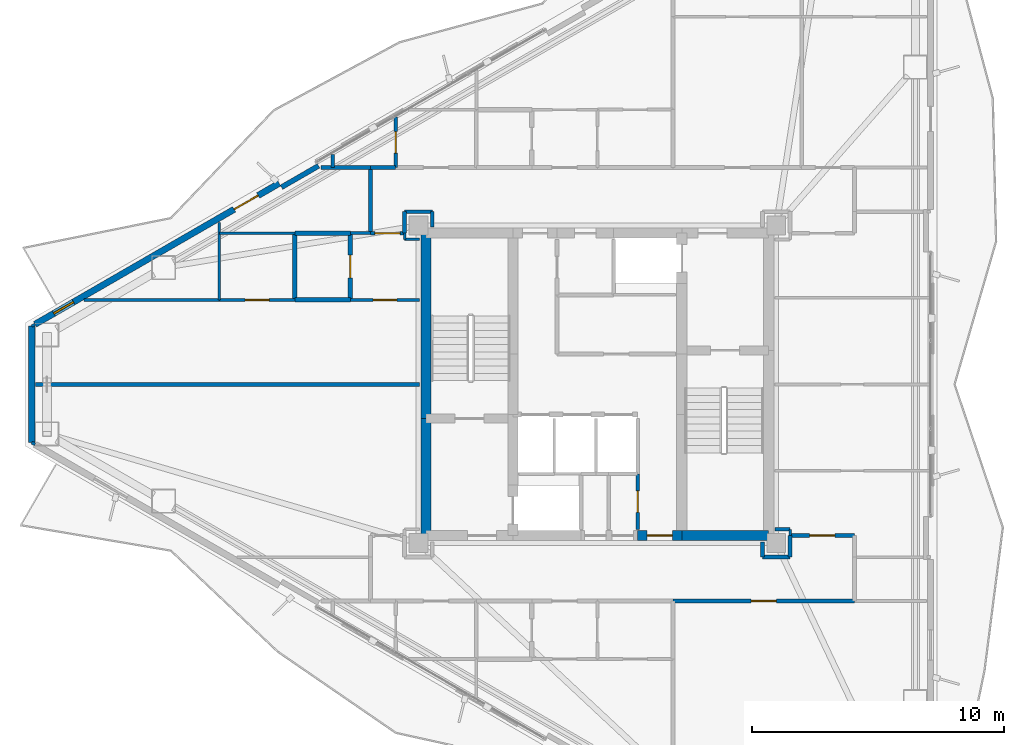
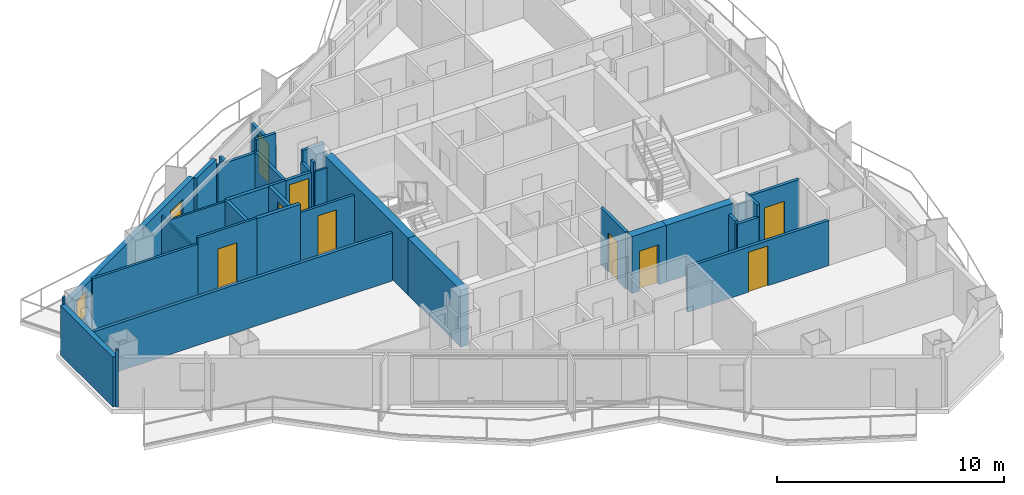
# One storey, part 13 of 18: 39 walls, 10 doors, 1 window, 11 openings.
"""IFC4 building model written with IfcOpenShell, lengths in metres."""

from ifc_helpers import new_model, si_unit, direction, frame, frame_2d, origin, place, context, subcontext, project, spatial, rectangle, extrude, material, layer, layer_set, type_object, element, fill, save


model = new_model("IFC4")

# Units and contexts
model_context = context("Model", 3, precision=1e-05, world=origin(), true_north=direction((0.0, 1.0)))
body_context = subcontext(model_context, "Body", "Model", "MODEL_VIEW")
ifc_project = project(units=[si_unit("LENGTHUNIT", "METRE"), si_unit("AREAUNIT", "SQUARE_METRE"), si_unit("VOLUMEUNIT", "CUBIC_METRE"), si_unit("PLANEANGLEUNIT", "RADIAN"), si_unit("MASSUNIT", "GRAM", prefix="KILO")], contexts=[model_context])

# Site, building, storey
site_placement = place(None, origin())
site = spatial("IfcSite", under=ifc_project, at=site_placement, CompositionType="ELEMENT")
building_placement = place(site_placement, origin())
building = spatial("IfcBuilding", under=site, at=building_placement, Name="Mersakhor Tower and Convention Hall", CompositionType="ELEMENT")
storey_placement = place(building_placement, frame((0.0, 0.0, 154.199951171875)))
storey = spatial("IfcBuildingStorey", under=building, at=storey_placement, Name="L43", CompositionType="ELEMENT", Elevation=154.199951171875)

# Wall
ifc_material_1 = material(Name="Precast concrete C40/50", Category="concrete")
ifc_layer_1 = layer(ifc_material_1, 0.25)
ifc_layer_set_1 = layer_set([ifc_layer_1], Name="Precast concrete C40/50")
wall_type_1 = type_object("IfcWallType", Name="WL-EXT-250", PredefinedType="SOLIDWALL", material=ifc_layer_set_1)
wall_1_placement = place(storey_placement, frame((6.560302734375, 24.44140625, 0.0), z_axis=(0.0, 0.0, 1.0), x_axis=(0.0, 1.0, 0.0)))
element("IfcWall", 1, at=wall_1_placement, inside=storey, type_object=wall_type_1, Name="L43 Chamfer Braced Spandrel Wall C3", PredefinedType="SOLIDWALL", context=body_context, shape_type="SweptSolid", body=[
    extrude(rectangle(XDim=4.6171875, YDim=0.25, at=frame_2d((2.30859375, 0.0))), origin(), (0.0, 0.0, 1.0), 2.679931640625),
])

# Wall, openings, door, window
wall_2_placement = place(storey_placement, frame((6.690185546875, 29.1337890625, 0.0), z_axis=(0.0, 0.0, 1.0), x_axis=(0.866027848477, 0.499995765644, 0.0)))
wall_2 = element("IfcWall", 2, at=wall_2_placement, inside=storey, type_object=wall_type_1, Name="L43 Exterior Facade Wall F1-B1", PredefinedType="SOLIDWALL", context=body_context, shape_type="SweptSolid", body=[
    extrude(rectangle(XDim=11.18603515625, YDim=0.25, at=frame_2d((5.593017578125, 0.0))), origin(), (0.0, 0.0, 1.0), 2.679931640625),
])
opening_1_placement = place(wall_2_placement, frame((9.1220703125, 0.0, 0.0)))
opening_1 = element("IfcOpeningElement", 3, at=opening_1_placement, cuts=wall_2, Name="Opening BD-02", PredefinedType="OPENING", context=body_context, shape_type="SweptSolid", body=[
    extrude(rectangle(XDim=1.10009765625, YDim=2.10009765625, at=frame_2d((0.550048828125, 1.050048828125))), frame((0.0, 0.135009765625, 0.0), z_axis=(0.0, -1.0, 0.0), x_axis=(1.0, 0.0, 0.0)), (0.0, 0.0, 1.0), 0.27001953125),
])
opening_2_placement = place(wall_2_placement, frame((0.860107421875, 0.0, 0.89990234375)))
opening_2 = element("IfcOpeningElement", 4, at=opening_2_placement, cuts=wall_2, Name="Opening W-06", PredefinedType="OPENING", context=body_context, shape_type="SweptSolid", body=[
    extrude(rectangle(XDim=0.89990234375, YDim=1.39990234375, at=frame_2d((0.449951171875, 0.699951171875))), frame((0.0, 0.135009765625, 0.0), z_axis=(0.0, -1.0, 0.0), x_axis=(1.0, 0.0, 0.0)), (0.0, 0.0, 1.0), 0.27001953125),
])
ifc_material_2 = material(Name="Thermally broken dark aluminium and safety glass", Category="aluminium")
door_type_1 = type_object("IfcDoorType", Name="DR-BAL-110x210", OperationType="NOTDEFINED", PredefinedType="DOOR", material=ifc_material_2)
door_1_placement = place(opening_1_placement, origin())
door_1 = element("IfcDoor", 5, at=door_1_placement, inside=storey, type_object=door_type_1, Name="L43 Balcony Terrace Door F1-B1", OperationType="SINGLE_SWING_RIGHT", OverallHeight=2.10009765625, OverallWidth=1.10009765625, PredefinedType="DOOR", context=body_context, shape_type="SweptSolid", body=[
    extrude(rectangle(XDim=1.10009765625, YDim=2.10009765625, at=frame_2d((0.550048828125, 1.050048828125))), frame((0.0, 0.02490234375, 0.0), z_axis=(0.0, -1.0, 0.0), x_axis=(1.0, 0.0, 0.0)), (0.0, 0.0, 1.0), 0.050048828125),
])
fill(opening_1, door_1)
ifc_material_3 = material(Name="Dark solar low-E glazed aluminium window", Category="aluminium")
window_type = type_object("IfcWindowType", Name="WN-STD-090x140", PartitioningType="SINGLE_PANEL", PredefinedType="WINDOW", material=ifc_material_3)
window_placement = place(opening_2_placement, origin())
window = element("IfcWindow", 6, at=window_placement, inside=storey, type_object=window_type, Name="L43 Bedroom Facade Window F1-B1-1", OverallHeight=1.39990234375, OverallWidth=0.89990234375, PartitioningType="SINGLE_PANEL", PredefinedType="WINDOW", context=body_context, shape_type="SweptSolid", body=[
    extrude(rectangle(XDim=0.89990234375, YDim=1.39990234375, at=frame_2d((0.449951171875, 0.699951171875))), frame((0.0, 0.030029296875, 0.0), z_axis=(0.0, -1.0, 0.0), x_axis=(1.0, 0.0, 0.0)), (0.0, 0.0, 1.0), 0.06005859375),
])
fill(opening_2, window)

# Wall
ifc_material_4 = material(Name="Precast concrete C40/50", Category="concrete")
ifc_layer_2 = layer(ifc_material_4, 0.199951171875)
ifc_layer_set_2 = layer_set([ifc_layer_2], Name="Precast concrete C40/50")
wall_type_2 = type_object("IfcWallType", Name="WL-PAR-200", PredefinedType="PARAPET", material=ifc_layer_set_2)
wall_3_placement = place(storey_placement, frame((16.467529296875, 34.57080078125, 0.0), z_axis=(0.0, 0.0, 1.0), x_axis=(0.865989465428, 0.500062241894, 0.0)))
element("IfcWall", 7, at=wall_3_placement, inside=storey, type_object=wall_type_2, Name="L43 Column Pier Cladding Wall F1-C1", PredefinedType="PARAPET", context=body_context, shape_type="SweptSolid", body=[
    extrude(rectangle(XDim=1.699951171875, YDim=0.199951171875, at=frame_2d((0.85009765625, 0.0))), origin(), (0.0, 0.0, 1.0), 2.679931640625),
])

# Wall, opening, door
ifc_material_5 = material(Name="Moisture-resistant acoustic drywall studwork", Category="other")
ifc_layer_3 = layer(ifc_material_5, 0.175048828125)
ifc_layer_set_3 = layer_set([ifc_layer_3], Name="Moisture-resistant acoustic drywall studwork")
wall_type_3 = type_object("IfcWallType", Name="WL-PLM-175", PredefinedType="PLUMBINGWALL", material=ifc_layer_set_3)
wall_4_placement = place(storey_placement, frame((19.199951171875, 30.10009765625, 0.0), z_axis=(0.0, 0.0, 1.0), x_axis=(0.0, 1.0, 0.0)))
wall_4 = element("IfcWall", 8, at=wall_4_placement, inside=storey, type_object=wall_type_3, Name="L43 Interior Partition Wall P-060", PredefinedType="PLUMBINGWALL", context=body_context, shape_type="SweptSolid", body=[
    extrude(rectangle(XDim=2.64990234375, YDim=0.175048828125, at=frame_2d((1.324951171875, 0.0))), origin(), (0.0, 0.0, 1.0), 2.432861328125),
])
opening_3_placement = place(wall_4_placement, frame((0.875, 0.0, 0.0)))
opening_3 = element("IfcOpeningElement", 9, at=opening_3_placement, cuts=wall_4, Name="Opening WD-01", PredefinedType="OPENING", context=body_context, shape_type="SweptSolid", body=[
    extrude(rectangle(XDim=0.89990234375, YDim=2.10009765625, at=frame_2d((0.449951171875, 1.050048828125))), frame((0.0, 0.097412109375, 0.0), z_axis=(0.0, -1.0, 0.0), x_axis=(1.0, 0.0, 0.0)), (0.0, 0.0, 1.0), 0.195068359375),
])
ifc_material_6 = material(Name="Solid-core hardwood leaf in painted steel frame", Category="steel")
door_type_2 = type_object("IfcDoorType", Name="DR-INT-WET-090x210", OperationType="NOTDEFINED", PredefinedType="DOOR", material=ifc_material_6)
door_2_placement = place(opening_3_placement, origin())
door_2 = element("IfcDoor", 10, at=door_2_placement, inside=storey, type_object=door_type_2, Name="L43 L43 Flat W5 Apartment Hall to L43 Flat W5 Bathroom Door", OperationType="SINGLE_SWING_RIGHT", OverallHeight=2.10009765625, OverallWidth=0.89990234375, PredefinedType="DOOR", context=body_context, shape_type="SweptSolid", body=[
    extrude(rectangle(XDim=0.89990234375, YDim=2.10009765625, at=frame_2d((0.449951171875, 1.050048828125))), frame((0.0, 0.02490234375, 0.0), z_axis=(0.0, -1.0, 0.0), x_axis=(1.0, 0.0, 0.0)), (0.0, 0.0, 1.0), 0.050048828125),
])
fill(opening_3, door_2)

# Walls
wall_5_placement = place(storey_placement, frame((17.0, 32.75, 0.0), z_axis=(0.0, 0.0, 1.0), x_axis=(1.0, 0.0, 0.0)))
element("IfcWall", 11, at=wall_5_placement, inside=storey, type_object=wall_type_3, Name="L43 Interior Partition Wall P-071", PredefinedType="PLUMBINGWALL", context=body_context, shape_type="SweptSolid", body=[
    extrude(rectangle(XDim=2.199951171875, YDim=0.175048828125, at=frame_2d((1.10009765625, 0.0))), origin(), (0.0, 0.0, 1.0), 2.432861328125),
])
wall_6_placement = place(storey_placement, frame((19.199951171875, 30.10009765625, 0.0), z_axis=(0.0, 0.0, 1.0), x_axis=(-1.0, 0.0, 0.0)))
element("IfcWall", 12, at=wall_6_placement, inside=storey, type_object=wall_type_3, Name="L43 Interior Partition Wall P-072", PredefinedType="PLUMBINGWALL", context=body_context, shape_type="SweptSolid", body=[
    extrude(rectangle(XDim=2.199951171875, YDim=0.175048828125, at=frame_2d((1.10009765625, 0.0))), origin(), (0.0, 0.0, 1.0), 3.06005859375),
])
wall_7_placement = place(storey_placement, frame((17.0, 30.10009765625, 0.0), z_axis=(0.0, 0.0, 1.0), x_axis=(0.0, 1.0, 0.0)))
element("IfcWall", 13, at=wall_7_placement, inside=storey, type_object=wall_type_3, Name="L43 Interior Partition Wall P-073", PredefinedType="PLUMBINGWALL", context=body_context, shape_type="SweptSolid", body=[
    extrude(rectangle(XDim=2.64990234375, YDim=0.175048828125, at=frame_2d((1.324951171875, 0.0))), origin(), (0.0, 0.0, 1.0), 2.432861328125),
])
ifc_material_7 = material(Name="Lightweight gypsum partition", Category="other")
ifc_layer_4 = layer(ifc_material_7, 0.10009765625)
ifc_layer_set_4 = layer_set([ifc_layer_4], Name="Lightweight gypsum partition")
wall_type_4 = type_object("IfcWallType", Name="WL-PRT-100", PredefinedType="PARTITIONING", material=ifc_layer_set_4)
wall_8_placement = place(storey_placement, frame((21.35009765625, 32.5, 0.0), z_axis=(0.0, 0.0, 1.0), x_axis=(1.0, 0.0, 0.0)))
element("IfcWall", 14, at=wall_8_placement, inside=storey, type_object=wall_type_4, Name="L43 Interior Partition Wall P-058", PredefinedType="PARTITIONING", context=body_context, shape_type="SweptSolid", body=[
    extrude(rectangle(XDim=0.599853515625, YDim=0.10009765625, at=frame_2d((0.2998046875, 0.0))), origin(), (0.0, 0.0, 1.0), 2.5849609375),
])
wall_9_placement = place(storey_placement, frame((21.35009765625, 32.75, 0.0), z_axis=(0.0, 0.0, 1.0), x_axis=(0.0, -1.0, 0.0)))
element("IfcWall", 15, at=wall_9_placement, inside=storey, type_object=wall_type_4, Name="L43 Interior Partition Wall P-062", PredefinedType="PARTITIONING", context=body_context, shape_type="SweptSolid", body=[
    extrude(rectangle(XDim=0.25, YDim=0.10009765625, at=frame_2d((0.125, 0.0))), origin(), (0.0, 0.0, 1.0), 3.06005859375),
])
wall_10_placement = place(storey_placement, frame((14.0, 32.75, 0.0), z_axis=(0.0, 0.0, 1.0), x_axis=(1.0, 0.0, 0.0)))
element("IfcWall", 16, at=wall_10_placement, inside=storey, type_object=wall_type_4, Name="L43 Interior Partition Wall P-074", PredefinedType="PARTITIONING", context=body_context, shape_type="SweptSolid", body=[
    extrude(rectangle(XDim=3.0, YDim=0.10009765625, at=frame_2d((1.5, 0.0))), origin(), (0.0, 0.0, 1.0), 2.364990234375),
])
wall_11_placement = place(storey_placement, frame((14.0, 30.10009765625, 0.0), z_axis=(0.0, 0.0, 1.0), x_axis=(0.0, 1.0, 0.0)))
element("IfcWall", 17, at=wall_11_placement, inside=storey, type_object=wall_type_4, Name="L43 Interior Partition Wall P-076", PredefinedType="PARTITIONING", context=body_context, shape_type="SweptSolid", body=[
    extrude(rectangle(XDim=3.081787109375, YDim=0.10009765625, at=frame_2d((1.541015625, 0.0))), origin(), (0.0, 0.0, 1.0), 2.364990234375),
])
wall_12_placement = place(storey_placement, frame((36.64990234375, 20.75, 0.0), z_axis=(0.0, 0.0, 1.0), x_axis=(0.0, 1.0, 0.0)))
element("IfcWall", 18, at=wall_12_placement, inside=storey, type_object=wall_type_4, Name="L43 Interior Partition Wall P-096", PredefinedType="PARTITIONING", context=body_context, shape_type="SweptSolid", body=[
    extrude(rectangle(XDim=0.25, YDim=0.10009765625, at=frame_2d((0.125, 0.0))), origin(), (0.0, 0.0, 1.0), 3.06005859375),
])
wall_13_placement = place(storey_placement, frame((6.56005859375, 29.05908203125, 0.0), z_axis=(0.0, 0.0, 1.0), x_axis=(0.866131372301, 0.499816412211, 0.0)))
element("IfcWall", 19, at=wall_13_placement, inside=storey, type_object=wall_type_4, Name="L43 Interior Partition Wall P-118", PredefinedType="PARTITIONING", context=body_context, shape_type="SweptSolid", body=[
    extrude(rectangle(XDim=0.14990234375, YDim=0.10009765625, at=frame_2d((0.074951171875, 0.0))), origin(), (0.0, 0.0, 1.0), 3.06005859375),
])

# Wall, opening, door
ifc_material_8 = material(Name="Gypsum board acoustic partition", Category="other")
ifc_layer_5 = layer(ifc_material_8, 0.125)
ifc_layer_set_5 = layer_set([ifc_layer_5], Name="Gypsum board acoustic partition")
wall_type_5 = type_object("IfcWallType", Name="WL-PRT-125", PredefinedType="PARTITIONING", material=ifc_layer_set_5)
wall_14_placement = place(storey_placement, frame((21.949951171875, 30.10009765625, 0.0), z_axis=(0.0, 0.0, 1.0), x_axis=(-1.0, 0.0, 0.0)))
wall_14 = element("IfcWall", 20, at=wall_14_placement, inside=storey, type_object=wall_type_5, Name="L43 Interior Partition Wall P-059", PredefinedType="PARTITIONING", context=body_context, shape_type="SweptSolid", body=[
    extrude(rectangle(XDim=2.75, YDim=0.125, at=frame_2d((1.375, 0.0))), origin(), (0.0, 0.0, 1.0), 2.5849609375),
])
opening_4_placement = place(wall_14_placement, frame((0.89990234375, 0.0, 0.0)))
opening_4 = element("IfcOpeningElement", 21, at=opening_4_placement, cuts=wall_14, Name="Opening RD-01", PredefinedType="OPENING", context=body_context, shape_type="SweptSolid", body=[
    extrude(rectangle(XDim=0.949951171875, YDim=2.10009765625, at=frame_2d((0.47509765625, 1.050048828125))), frame((0.0, 0.072509765625, 0.0), z_axis=(0.0, -1.0, 0.0), x_axis=(1.0, 0.0, 0.0)), (0.0, 0.0, 1.0), 0.14501953125),
])
ifc_material_9 = material(Name="Solid-core hardwood leaf in painted steel frame", Category="steel")
door_type_3 = type_object("IfcDoorType", Name="DR-INT-RM-095x210", OperationType="NOTDEFINED", PredefinedType="DOOR", material=ifc_material_9)
door_3_placement = place(opening_4_placement, origin())
door_3 = element("IfcDoor", 22, at=door_3_placement, inside=storey, type_object=door_type_3, Name="L43 L43 Flat W5 Apartment Hall to L43 Flat W5 Studio Living and Sleeping Room Door", OperationType="SINGLE_SWING_LEFT", OverallHeight=2.10009765625, OverallWidth=0.949951171875, PredefinedType="DOOR", context=body_context, shape_type="SweptSolid", body=[
    extrude(rectangle(XDim=0.949951171875, YDim=2.10009765625, at=frame_2d((0.47509765625, 1.050048828125))), frame((0.0, 0.02490234375, 0.0), z_axis=(0.0, -1.0, 0.0), x_axis=(1.0, 0.0, 0.0)), (0.0, 0.0, 1.0), 0.050048828125),
])
fill(opening_4, door_3)

# Wall
wall_15_placement = place(storey_placement, frame((19.199951171875, 32.75, 0.0), z_axis=(0.0, 0.0, 1.0), x_axis=(1.0, 0.0, 0.0)))
element("IfcWall", 23, at=wall_15_placement, inside=storey, type_object=wall_type_5, Name="L43 Interior Partition Wall P-061", PredefinedType="PARTITIONING", context=body_context, shape_type="SweptSolid", body=[
    extrude(rectangle(XDim=0.800048828125, YDim=0.125, at=frame_2d((0.39990234375, 0.0))), origin(), (0.0, 0.0, 1.0), 2.432861328125),
])

# Wall, opening, door
wall_16_placement = place(storey_placement, frame((17.0, 30.10009765625, 0.0), z_axis=(0.0, 0.0, 1.0), x_axis=(-1.0, 0.0, 0.0)))
wall_16 = element("IfcWall", 24, at=wall_16_placement, inside=storey, type_object=wall_type_5, Name="L43 Interior Partition Wall P-075", PredefinedType="PARTITIONING", context=body_context, shape_type="SweptSolid", body=[
    extrude(rectangle(XDim=3.0, YDim=0.125, at=frame_2d((1.5, 0.0))), origin(), (0.0, 0.0, 1.0), 3.06005859375),
])
opening_5_placement = place(wall_16_placement, frame((1.02490234375, 0.0, 0.0)))
opening_5 = element("IfcOpeningElement", 25, at=opening_5_placement, cuts=wall_16, Name="Opening RD-01", PredefinedType="OPENING", context=body_context, shape_type="SweptSolid", body=[
    extrude(rectangle(XDim=0.949951171875, YDim=2.10009765625, at=frame_2d((0.47509765625, 1.050048828125))), frame((0.0, 0.072509765625, 0.0), z_axis=(0.0, -1.0, 0.0), x_axis=(1.0, 0.0, 0.0)), (0.0, 0.0, 1.0), 0.14501953125),
])
door_4_placement = place(opening_5_placement, origin())
door_4 = element("IfcDoor", 26, at=door_4_placement, inside=storey, type_object=door_type_3, Name="L43 L43 Flat W5 Kitchen to L43 Flat W5 Studio Living and Sleeping Room Door", OperationType="SINGLE_SWING_RIGHT", OverallHeight=2.10009765625, OverallWidth=0.949951171875, PredefinedType="DOOR", context=body_context, shape_type="SweptSolid", body=[
    extrude(rectangle(XDim=0.949951171875, YDim=2.10009765625, at=frame_2d((0.47509765625, 1.050048828125))), frame((0.0, 0.02490234375, 0.0), z_axis=(0.0, -1.0, 0.0), x_axis=(1.0, 0.0, 0.0)), (0.0, 0.0, 1.0), 0.050048828125),
])
fill(opening_5, door_4)

# Walls
wall_17_placement = place(storey_placement, frame((6.68994140625, 24.365966796875, 0.0), z_axis=(0.0, 0.0, 1.0), x_axis=(-0.866131372301, 0.499816412211, 0.0)))
element("IfcWall", 27, at=wall_17_placement, inside=storey, type_object=wall_type_5, Name="L43 Interior Partition Wall P-095", PredefinedType="PARTITIONING", context=body_context, shape_type="SweptSolid", body=[
    extrude(rectangle(XDim=0.14990234375, YDim=0.125, at=frame_2d((0.074951171875, 0.0))), origin(), (0.0, 0.0, 1.0), 3.06005859375),
])
wall_18_placement = place(storey_placement, frame((36.64990234375, 21.0, 0.0), z_axis=(0.0, 0.0, 1.0), x_axis=(-1.0, 0.0, 0.0)))
element("IfcWall", 28, at=wall_18_placement, inside=storey, type_object=wall_type_5, Name="L43 Interior Partition Wall P-097", PredefinedType="PARTITIONING", context=body_context, shape_type="SweptSolid", body=[
    extrude(rectangle(XDim=0.599853515625, YDim=0.125, at=frame_2d((0.2998046875, 0.0))), origin(), (0.0, 0.0, 1.0), 2.5849609375),
])
wall_19_placement = place(storey_placement, frame((8.634765625, 30.10009765625, 0.0), z_axis=(0.0, 0.0, 1.0), x_axis=(1.0, 0.0, 0.0)))
element("IfcWall", 29, at=wall_19_placement, inside=storey, type_object=wall_type_5, Name="L43 Interior Partition Wall P-117", PredefinedType="PARTITIONING", context=body_context, shape_type="SweptSolid", body=[
    extrude(rectangle(XDim=5.365234375, YDim=0.125, at=frame_2d((2.6826171875, 0.0))), origin(), (0.0, 0.0, 1.0), 2.724609375),
])

# Wall, opening, door
ifc_material_10 = material(Name="Fire-rated gypsum board stud partition", Category="other")
ifc_layer_6 = layer(ifc_material_10, 0.14990234375)
ifc_layer_set_6 = layer_set([ifc_layer_6], Name="Fire-rated gypsum board stud partition")
wall_type_6 = type_object("IfcWallType", Name="WL-PRT-150", PredefinedType="PARTITIONING", material=ifc_layer_set_6)
wall_20_placement = place(storey_placement, frame((30.60009765625, 21.0, 0.0), z_axis=(0.0, 0.0, 1.0), x_axis=(0.0, 1.0, 0.0)))
wall_20 = element("IfcWall", 30, at=wall_20_placement, inside=storey, type_object=wall_type_6, Name="L43 Interior Partition Wall P-012", PredefinedType="PARTITIONING", context=body_context, shape_type="SweptSolid", body=[
    extrude(rectangle(XDim=2.199951171875, YDim=0.14990234375, at=frame_2d((1.10009765625, 0.0))), origin(), (0.0, 0.0, 1.0), 3.06005859375),
])
opening_6_placement = place(wall_20_placement, frame((0.675048828125, 0.0, 0.0)))
opening_6 = element("IfcOpeningElement", 31, at=opening_6_placement, cuts=wall_20, Name="Opening SVD-01", PredefinedType="OPENING", context=body_context, shape_type="SweptSolid", body=[
    extrude(rectangle(XDim=0.85009765625, YDim=2.10009765625, at=frame_2d((0.425048828125, 1.050048828125))), frame((0.0, 0.0849609375, 0.0), z_axis=(0.0, -1.0, 0.0), x_axis=(1.0, 0.0, 0.0)), (0.0, 0.0, 1.0), 0.169921875),
])
ifc_material_11 = material(Name="Fire-rated hardwood leaf and painted steel frame", Category="steel")
door_type_4 = type_object("IfcDoorType", Name="DR-INT-SVC-085x210", OperationType="NOTDEFINED", PredefinedType="DOOR", material=ifc_material_11)
door_5_placement = place(opening_6_placement, origin())
door_5 = element("IfcDoor", 32, at=door_5_placement, inside=storey, type_object=door_type_4, Name="L43 Central Passenger Lift Lobby to Core Maintenance Store Room Door", OperationType="SINGLE_SWING_LEFT", OverallHeight=2.10009765625, OverallWidth=0.85009765625, PredefinedType="DOOR", context=body_context, shape_type="SweptSolid", body=[
    extrude(rectangle(XDim=0.85009765625, YDim=2.10009765625, at=frame_2d((0.425048828125, 1.050048828125))), frame((0.0, 0.02490234375, 0.0), z_axis=(0.0, -1.0, 0.0), x_axis=(1.0, 0.0, 0.0)), (0.0, 0.0, 1.0), 0.050048828125),
])
fill(opening_6, door_5)

# Walls
wall_21_placement = place(storey_placement, frame((22.449951171875, 33.0, 0.0), z_axis=(0.0, 0.0, 1.0), x_axis=(0.0, 1.0, 0.0)))
element("IfcWall", 33, at=wall_21_placement, inside=storey, type_object=wall_type_6, Name="L43 Interior Partition Wall P-017", PredefinedType="PARTITIONING", context=body_context, shape_type="SweptSolid", body=[
    extrude(rectangle(XDim=0.60009765625, YDim=0.14990234375, at=frame_2d((0.300048828125, 0.0))), origin(), (0.0, 0.0, 1.0), 2.5849609375),
])
wall_22_placement = place(storey_placement, frame((22.449951171875, 33.60009765625, 0.0), z_axis=(0.0, 0.0, 1.0), x_axis=(-1.0, 0.0, 0.0)))
element("IfcWall", 34, at=wall_22_placement, inside=storey, type_object=wall_type_6, Name="L43 Interior Partition Wall P-018", PredefinedType="PARTITIONING", context=body_context, shape_type="SweptSolid", body=[
    extrude(rectangle(XDim=1.099853515625, YDim=0.14990234375, at=frame_2d((0.5498046875, 0.0))), origin(), (0.0, 0.0, 1.0), 3.06005859375),
])
wall_23_placement = place(storey_placement, frame((21.35009765625, 33.60009765625, 0.0), z_axis=(0.0, 0.0, 1.0), x_axis=(0.0, -1.0, 0.0)))
element("IfcWall", 35, at=wall_23_placement, inside=storey, type_object=wall_type_6, Name="L43 Interior Partition Wall P-019", PredefinedType="PARTITIONING", context=body_context, shape_type="SweptSolid", body=[
    extrude(rectangle(XDim=0.85009765625, YDim=0.14990234375, at=frame_2d((0.425048828125, 0.0))), origin(), (0.0, 0.0, 1.0), 2.432861328125),
])

# Wall, opening, door
wall_24_placement = place(storey_placement, frame((21.35009765625, 32.75, 0.0), z_axis=(0.0, 0.0, 1.0), x_axis=(-1.0, 0.0, 0.0)))
wall_24 = element("IfcWall", 36, at=wall_24_placement, inside=storey, type_object=wall_type_6, Name="L43 Interior Partition Wall P-020", PredefinedType="PARTITIONING", context=body_context, shape_type="SweptSolid", body=[
    extrude(rectangle(XDim=1.35009765625, YDim=0.14990234375, at=frame_2d((0.675048828125, 0.0))), origin(), (0.0, 0.0, 1.0), 2.432861328125),
])
opening_7_placement = place(wall_24_placement, frame((0.175048828125, 0.0, 0.0)))
opening_7 = element("IfcOpeningElement", 37, at=opening_7_placement, cuts=wall_24, Name="Opening FD-01", PredefinedType="OPENING", context=body_context, shape_type="SweptSolid", body=[
    extrude(rectangle(XDim=1.0, YDim=2.14990234375, at=frame_2d((0.5, 1.074951171875))), frame((0.0, 0.0849609375, 0.0), z_axis=(0.0, -1.0, 0.0), x_axis=(1.0, 0.0, 0.0)), (0.0, 0.0, 1.0), 0.169921875),
])
ifc_material_12 = material(Name="Fire-rated hardwood leaf and painted steel frame", Category="steel")
door_type_5 = type_object("IfcDoorType", Name="DR-INT-FLT-100x215", OperationType="NOTDEFINED", PredefinedType="DOOR", material=ifc_material_12)
door_6_placement = place(opening_7_placement, origin())
door_6 = element("IfcDoor", 38, at=door_6_placement, inside=storey, type_object=door_type_5, Name="L43 Apartment Entrance Door (Residential North Gallery Corridor to L43 Flat W5 Apartment Hall)", OperationType="SINGLE_SWING_LEFT", OverallHeight=2.14990234375, OverallWidth=1.0, PredefinedType="DOOR", context=body_context, shape_type="SweptSolid", body=[
    extrude(rectangle(XDim=1.0, YDim=2.14990234375, at=frame_2d((0.5, 1.074951171875))), frame((0.0, 0.02490234375, 0.0), z_axis=(0.0, -1.0, 0.0), x_axis=(1.0, 0.0, 0.0)), (0.0, 0.0, 1.0), 0.050048828125),
])
fill(opening_7, door_6)

# Walls
wall_25_placement = place(storey_placement, frame((20.0, 32.75, 0.0), z_axis=(0.0, 0.0, 1.0), x_axis=(0.0, 1.0, 0.0)))
element("IfcWall", 39, at=wall_25_placement, inside=storey, type_object=wall_type_6, Name="L43 Interior Partition Wall P-021", PredefinedType="PARTITIONING", context=body_context, shape_type="SweptSolid", body=[
    extrude(rectangle(XDim=2.60009765625, YDim=0.14990234375, at=frame_2d((1.300048828125, 0.0))), origin(), (0.0, 0.0, 1.0), 2.432861328125),
])
wall_26_placement = place(storey_placement, frame((20.0, 35.35009765625, 0.0), z_axis=(0.0, 0.0, 1.0), x_axis=(1.0, 0.0, 0.0)))
element("IfcWall", 40, at=wall_26_placement, inside=storey, type_object=wall_type_6, Name="L43 Interior Partition Wall P-022", PredefinedType="PARTITIONING", context=body_context, shape_type="SweptSolid", body=[
    extrude(rectangle(XDim=1.0, YDim=0.14990234375, at=frame_2d((0.5, 0.0))), origin(), (0.0, 0.0, 1.0), 3.06005859375),
])
wall_27_placement = place(storey_placement, frame((35.550048828125, 20.5, 0.0), z_axis=(0.0, 0.0, 1.0), x_axis=(0.0, -1.0, 0.0)))
element("IfcWall", 41, at=wall_27_placement, inside=storey, type_object=wall_type_6, Name="L43 Interior Partition Wall P-035", PredefinedType="PARTITIONING", context=body_context, shape_type="SweptSolid", body=[
    extrude(rectangle(XDim=0.60009765625, YDim=0.14990234375, at=frame_2d((0.300048828125, 0.0))), origin(), (0.0, 0.0, 1.0), 2.5849609375),
])
wall_28_placement = place(storey_placement, frame((35.550048828125, 19.89990234375, 0.0), z_axis=(0.0, 0.0, 1.0), x_axis=(1.0, 0.0, 0.0)))
element("IfcWall", 42, at=wall_28_placement, inside=storey, type_object=wall_type_6, Name="L43 Interior Partition Wall P-036", PredefinedType="PARTITIONING", context=body_context, shape_type="SweptSolid", body=[
    extrude(rectangle(XDim=1.099853515625, YDim=0.14990234375, at=frame_2d((0.5498046875, 0.0))), origin(), (0.0, 0.0, 1.0), 2.432861328125),
])
wall_29_placement = place(storey_placement, frame((36.64990234375, 19.89990234375, 0.0), z_axis=(0.0, 0.0, 1.0), x_axis=(0.0, 1.0, 0.0)))
element("IfcWall", 43, at=wall_29_placement, inside=storey, type_object=wall_type_6, Name="L43 Interior Partition Wall P-037", PredefinedType="PARTITIONING", context=body_context, shape_type="SweptSolid", body=[
    extrude(rectangle(XDim=0.85009765625, YDim=0.14990234375, at=frame_2d((0.425048828125, 0.0))), origin(), (0.0, 0.0, 1.0), 3.06005859375),
])

# Wall, opening, door
wall_30_placement = place(storey_placement, frame((36.64990234375, 20.75, 0.0), z_axis=(0.0, 0.0, 1.0), x_axis=(1.0, 0.0, 0.0)))
wall_30 = element("IfcWall", 44, at=wall_30_placement, inside=storey, type_object=wall_type_6, Name="L43 Interior Partition Wall P-038", PredefinedType="PARTITIONING", context=body_context, shape_type="SweptSolid", body=[
    extrude(rectangle(XDim=2.550048828125, YDim=0.14990234375, at=frame_2d((1.27490234375, 0.0))), origin(), (0.0, 0.0, 1.0), 3.06005859375),
])
opening_8_placement = place(wall_30_placement, frame((0.77490234375, 0.0, 0.0)))
opening_8 = element("IfcOpeningElement", 45, at=opening_8_placement, cuts=wall_30, Name="Opening FD-01", PredefinedType="OPENING", context=body_context, shape_type="SweptSolid", body=[
    extrude(rectangle(XDim=1.0, YDim=2.14990234375, at=frame_2d((0.5, 1.074951171875))), frame((0.0, 0.0849609375, 0.0), z_axis=(0.0, -1.0, 0.0), x_axis=(1.0, 0.0, 0.0)), (0.0, 0.0, 1.0), 0.169921875),
])
door_7_placement = place(opening_8_placement, origin())
door_7 = element("IfcDoor", 46, at=door_7_placement, inside=storey, type_object=door_type_5, Name="L43 Residential South Gallery Corridor to L43 East Wing Shared Study Room Door", OperationType="SINGLE_SWING_RIGHT", OverallHeight=2.14990234375, OverallWidth=1.0, PredefinedType="DOOR", context=body_context, shape_type="SweptSolid", body=[
    extrude(rectangle(XDim=1.0, YDim=2.14990234375, at=frame_2d((0.5, 1.074951171875))), frame((0.0, 0.02490234375, 0.0), z_axis=(0.0, -1.0, 0.0), x_axis=(1.0, 0.0, 0.0)), (0.0, 0.0, 1.0), 0.050048828125),
])
fill(opening_8, door_7)

wall_31_placement = place(storey_placement, frame((39.199951171875, 18.14990234375, 0.0), z_axis=(0.0, 0.0, 1.0), x_axis=(-1.0, 0.0, 0.0)))
wall_31 = element("IfcWall", 47, at=wall_31_placement, inside=storey, type_object=wall_type_6, Name="L43 Interior Partition Wall P-041", PredefinedType="PARTITIONING", context=body_context, shape_type="SweptSolid", body=[
    extrude(rectangle(XDim=7.199951171875, YDim=0.14990234375, at=frame_2d((3.60009765625, 0.0))), origin(), (0.0, 0.0, 1.0), 2.432861328125),
])
opening_9_placement = place(wall_31_placement, frame((3.10009765625, 0.0, 0.0)))
opening_9 = element("IfcOpeningElement", 48, at=opening_9_placement, cuts=wall_31, Name="Opening FD-01", PredefinedType="OPENING", context=body_context, shape_type="SweptSolid", body=[
    extrude(rectangle(XDim=1.0, YDim=2.14990234375, at=frame_2d((0.5, 1.074951171875))), frame((0.0, 0.0849609375, 0.0), z_axis=(0.0, -1.0, 0.0), x_axis=(1.0, 0.0, 0.0)), (0.0, 0.0, 1.0), 0.169921875),
])
door_8_placement = place(opening_9_placement, origin())
door_8 = element("IfcDoor", 49, at=door_8_placement, inside=storey, type_object=door_type_5, Name="L43 Residential South Gallery Corridor to L43 South-East Residents Lounge Annex Door", OperationType="SINGLE_SWING_RIGHT", OverallHeight=2.14990234375, OverallWidth=1.0, PredefinedType="DOOR", context=body_context, shape_type="SweptSolid", body=[
    extrude(rectangle(XDim=1.0, YDim=2.14990234375, at=frame_2d((0.5, 1.074951171875))), frame((0.0, 0.02490234375, 0.0), z_axis=(0.0, -1.0, 0.0), x_axis=(1.0, 0.0, 0.0)), (0.0, 0.0, 1.0), 0.050048828125),
])
fill(opening_9, door_8)

# Walls
wall_32_placement = place(storey_placement, frame((6.709228515625, 26.75, 0.0), z_axis=(0.0, 0.0, 1.0), x_axis=(1.0, 0.0, 0.0)))
element("IfcWall", 50, at=wall_32_placement, inside=storey, type_object=wall_type_6, Name="L43 Interior Partition Wall P-091", PredefinedType="PARTITIONING", context=body_context, shape_type="SweptSolid", body=[
    extrude(rectangle(XDim=15.24072265625, YDim=0.14990234375, at=frame_2d((7.620361328125, 0.0))), origin(), (0.0, 0.0, 1.0), 2.5849609375),
])
wall_33_placement = place(storey_placement, frame((20.0, 35.35009765625, 0.0), z_axis=(0.0, 0.0, 1.0), x_axis=(-1.0, 0.0, 0.0)))
element("IfcWall", 51, at=wall_33_placement, inside=storey, type_object=wall_type_6, Name="L43 Interior Partition Wall P-107", PredefinedType="PARTITIONING", context=body_context, shape_type="SweptSolid", body=[
    extrude(rectangle(XDim=1.95751953125, YDim=0.14990234375, at=frame_2d((0.978759765625, 0.0))), origin(), (0.0, 0.0, 1.0), 2.364990234375),
])
wall_34_placement = place(storey_placement, frame((18.5, 35.35009765625, 0.0), z_axis=(0.0, 0.0, 1.0), x_axis=(0.0, 1.0, 0.0)))
element("IfcWall", 52, at=wall_34_placement, inside=storey, type_object=wall_type_6, Name="L43 Interior Partition Wall P-108", PredefinedType="PARTITIONING", context=body_context, shape_type="SweptSolid", body=[
    extrude(rectangle(XDim=0.51318359375, YDim=0.14990234375, at=frame_2d((0.256591796875, 0.0))), origin(), (0.0, 0.0, 1.0), 2.364990234375),
])

# Wall, opening, door
wall_35_placement = place(storey_placement, frame((21.0, 37.3515625, 0.0), z_axis=(0.0, 0.0, 1.0), x_axis=(0.0, -1.0, 0.0)))
wall_35 = element("IfcWall", 53, at=wall_35_placement, inside=storey, type_object=wall_type_6, Name="L43 Interior Partition Wall P-109", PredefinedType="PARTITIONING", context=body_context, shape_type="SweptSolid", body=[
    extrude(rectangle(XDim=2.00146484375, YDim=0.14990234375, at=frame_2d((1.000732421875, 0.0))), origin(), (0.0, 0.0, 1.0), 2.364990234375),
])
opening_10_placement = place(wall_35_placement, frame((0.57568359375, 0.0, 0.0)))
opening_10 = element("IfcOpeningElement", 54, at=opening_10_placement, cuts=wall_35, Name="Opening SVD-01", PredefinedType="OPENING", context=body_context, shape_type="SweptSolid", body=[
    extrude(rectangle(XDim=0.85009765625, YDim=2.10009765625, at=frame_2d((0.425048828125, 1.050048828125))), frame((0.0, 0.0849609375, 0.0), z_axis=(0.0, -1.0, 0.0), x_axis=(1.0, 0.0, 0.0)), (0.0, 0.0, 1.0), 0.169921875),
])
door_9_placement = place(opening_10_placement, origin())
door_9 = element("IfcDoor", 55, at=door_9_placement, inside=storey, type_object=door_type_4, Name="L43 L43 Floor Household Store Room 1-1 to L43 Floor Shared Tea Pantry 1-2 Door", OperationType="SINGLE_SWING_RIGHT", OverallHeight=2.10009765625, OverallWidth=0.85009765625, PredefinedType="DOOR", context=body_context, shape_type="SweptSolid", body=[
    extrude(rectangle(XDim=0.85009765625, YDim=2.10009765625, at=frame_2d((0.425048828125, 1.050048828125))), frame((0.0, 0.02490234375, 0.0), z_axis=(0.0, -1.0, 0.0), x_axis=(1.0, 0.0, 0.0)), (0.0, 0.0, 1.0), 0.050048828125),
])
fill(opening_10, door_9)

# Walls
ifc_material_13 = material(Name="Concrete C60/75", Category="concrete")
ifc_layer_7 = layer(ifc_material_13, 0.39990234375)
ifc_layer_set_7 = layer_set([ifc_layer_7], Name="Concrete C60/75")
wall_type_7 = type_object("IfcWallType", Name="WL-SHR-400", PredefinedType="SHEAR", material=ifc_layer_set_7)
wall_36_placement = place(storey_placement, frame((22.199951171875, 20.75, 0.0), z_axis=(0.0, 0.0, 1.0), x_axis=(0.0, 1.0, 0.0)))
element("IfcWall", 56, at=wall_36_placement, inside=storey, type_object=wall_type_7, Name="L43 Core Wall CW-W1", PredefinedType="SHEAR", context=body_context, shape_type="SweptSolid", body=[
    extrude(rectangle(XDim=4.64990234375, YDim=0.39990234375, at=frame_2d((2.324951171875, 0.0))), origin(), (0.0, 0.0, 1.0), 3.06005859375),
])
wall_37_placement = place(storey_placement, frame((22.199951171875, 25.39990234375, 0.0), z_axis=(0.0, 0.0, 1.0), x_axis=(0.0, 1.0, 0.0)))
element("IfcWall", 57, at=wall_37_placement, inside=storey, type_object=wall_type_7, Name="L43 Core Wall CW-W2", PredefinedType="SHEAR", context=body_context, shape_type="SweptSolid", body=[
    extrude(rectangle(XDim=7.35009765625, YDim=0.39990234375, at=frame_2d((3.675048828125, 0.0))), origin(), (0.0, 0.0, 1.0), 3.06005859375),
])
wall_38_placement = place(storey_placement, frame((35.800048828125, 20.75, 0.0), z_axis=(0.0, 0.0, 1.0), x_axis=(-1.0, 0.0, 0.0)))
element("IfcWall", 58, at=wall_38_placement, inside=storey, type_object=wall_type_7, Name="L43 Core Wall CW-S1", PredefinedType="SHEAR", context=body_context, shape_type="SweptSolid", body=[
    extrude(rectangle(XDim=3.449951171875, YDim=0.39990234375, at=frame_2d((1.72509765625, 0.0))), origin(), (0.0, 0.0, 1.0), 3.06005859375),
])

# Wall, opening, door
wall_39_placement = place(storey_placement, frame((32.35009765625, 20.75, 0.0), z_axis=(0.0, 0.0, 1.0), x_axis=(-1.0, 0.0, 0.0)))
wall_39 = element("IfcWall", 59, at=wall_39_placement, inside=storey, type_object=wall_type_7, Name="L43 Core Wall CW-S2A", PredefinedType="SHEAR", context=body_context, shape_type="SweptSolid", body=[
    extrude(rectangle(XDim=1.75, YDim=0.39990234375, at=frame_2d((0.875, 0.0))), origin(), (0.0, 0.0, 1.0), 3.06005859375),
])
opening_11_placement = place(wall_39_placement, frame((0.375, 0.0, 0.0)))
opening_11 = element("IfcOpeningElement", 60, at=opening_11_placement, cuts=wall_39, Name="Opening CFD-01", PredefinedType="OPENING", context=body_context, shape_type="SweptSolid", body=[
    extrude(rectangle(XDim=1.0, YDim=2.14990234375, at=frame_2d((0.5, 1.074951171875))), frame((0.0, 0.2099609375, 0.0), z_axis=(0.0, -1.0, 0.0), x_axis=(1.0, 0.0, 0.0)), (0.0, 0.0, 1.0), 0.419921875),
])
ifc_material_14 = material(Name="Fire-rated hardwood leaf and painted steel frame", Category="steel")
door_type_6 = type_object("IfcDoorType", Name="DR-CORE-FD-100x215", OperationType="NOTDEFINED", PredefinedType="DOOR", material=ifc_material_14)
door_10_placement = place(opening_11_placement, origin())
door_10 = element("IfcDoor", 61, at=door_10_placement, inside=storey, type_object=door_type_6, Name="L43 Lift Lobby South Corridor Door", OperationType="SINGLE_SWING_RIGHT", OverallHeight=2.14990234375, OverallWidth=1.0, PredefinedType="DOOR", context=body_context, shape_type="SweptSolid", body=[
    extrude(rectangle(XDim=1.0, YDim=2.14990234375, at=frame_2d((0.5, 1.074951171875))), frame((0.0, 0.02490234375, 0.0), z_axis=(0.0, -1.0, 0.0), x_axis=(1.0, 0.0, 0.0)), (0.0, 0.0, 1.0), 0.050048828125),
])
fill(opening_11, door_10)

save(model, "model.ifc")
